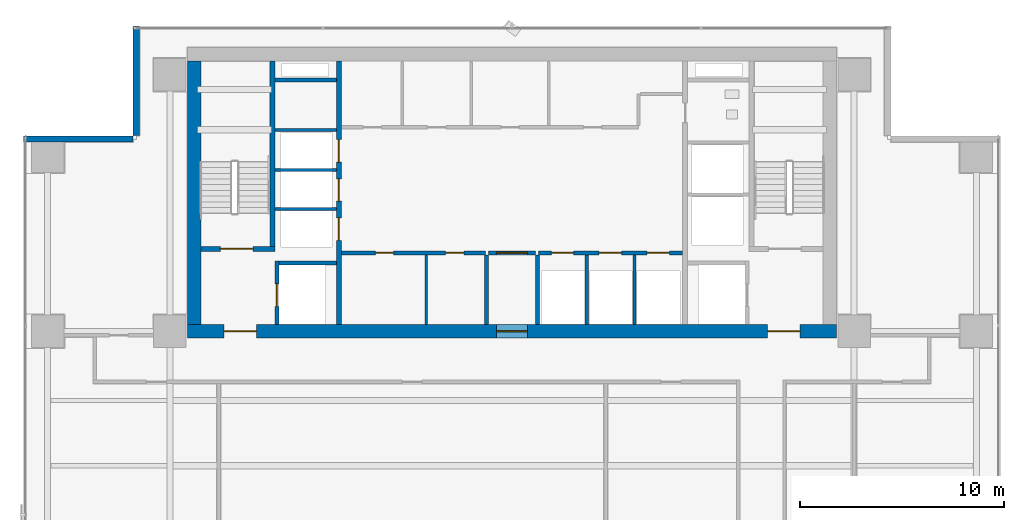
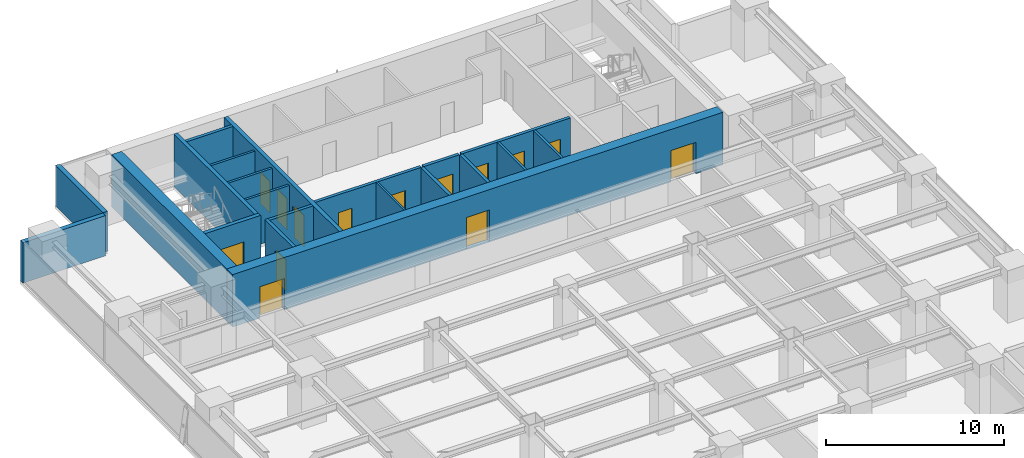
# One storey, part 21 of 27: 21 walls, 14 doors, 14 openings.
"""IFC4 building model written with IfcOpenShell, lengths in metres."""

from ifc_helpers import new_model, si_unit, direction, frame, frame_2d, origin, place, context, subcontext, project, spatial, rectangle, extrude, source, transform, mapped, material, layer, layer_set, type_object, element, fill, save


model = new_model("IFC4")

# Units and contexts
model_context = context("Model", 3, precision=1e-05, world=origin(), true_north=direction((0.0, 1.0)))
body_context = subcontext(model_context, "Body", "Model", "MODEL_VIEW")
ifc_project = project(units=[si_unit("LENGTHUNIT", "METRE"), si_unit("AREAUNIT", "SQUARE_METRE"), si_unit("VOLUMEUNIT", "CUBIC_METRE"), si_unit("PLANEANGLEUNIT", "RADIAN"), si_unit("MASSUNIT", "GRAM", prefix="KILO")], contexts=[model_context])

# Site, building, storey
site_placement = place(None, origin())
site = spatial("IfcSite", under=ifc_project, at=site_placement, CompositionType="ELEMENT")
building_placement = place(site_placement, origin())
building = spatial("IfcBuilding", under=site, at=building_placement, Name="Sumidabori Civic Tower", CompositionType="ELEMENT")
storey_placement = place(building_placement, frame((0.0, 0.0, 156.800048828125)))
storey = spatial("IfcBuildingStorey", under=building, at=storey_placement, Name="L40", CompositionType="ELEMENT", Elevation=156.800048828125)

# Walls
ifc_material_1 = material(Name="Concrete C50/60", Category="concrete")
ifc_layer_1 = layer(ifc_material_1, 0.199951171875, Name="Concrete C50/60")
ifc_layer_set_1 = layer_set([ifc_layer_1], Name="Concrete C50/60")
wall_type_1 = type_object("IfcWallType", Name="WL-SHAFT-200", PredefinedType="SHEAR", material=ifc_layer_set_1)
shared_shape_1 = source(origin(), body_context, "Body", "SweptSolid", [
    extrude(rectangle(XDim=2.824951171875, YDim=0.199951171875, at=frame_2d((1.41259765625, 0.0))), origin(), (0.0, 0.0, 1.0), 3.599853515625),
])
wall_1_placement = place(storey_placement, frame((-11.449951171875, 13.550048828125, 0.0), z_axis=(0.0, 0.0, 1.0), x_axis=(1.0, 0.0, 0.0)))
element("IfcWall", 1, at=wall_1_placement, inside=storey, type_object=wall_type_1, Name="Core Shear Wall L40 EL1-N", PredefinedType="SHEAR", context=body_context, shape_type="MappedRepresentation", body=[
    mapped(shared_shape_1, transform((0.0, 0.0, 0.0), x_axis=(1.0, 0.0, 0.0), y_axis=(0.0, 1.0, 0.0), z_axis=(0.0, 0.0, 1.0), scale=1.0)),
])
shared_shape_2 = source(origin(), body_context, "Body", "SweptSolid", [
    extrude(rectangle(XDim=3.02001953125, YDim=0.199951171875, at=frame_2d((1.510009765625, 0.0))), origin(), (0.0, 0.0, 1.0), 3.599853515625),
])
wall_2_placement = place(storey_placement, frame((-11.64501953125, 22.550048828125, 0.0), z_axis=(0.0, 0.0, 1.0), x_axis=(1.0, 0.0, 0.0)))
element("IfcWall", 2, at=wall_2_placement, inside=storey, type_object=wall_type_1, Name="Core Shear Wall L40 RIS1-S", PredefinedType="SHEAR", context=body_context, shape_type="MappedRepresentation", body=[
    mapped(shared_shape_2, transform((0.0, 0.0, 0.0), x_axis=(1.0, 0.0, 0.0), y_axis=(0.0, 1.0, 0.0), z_axis=(0.0, 0.0, 1.0), scale=1.0)),
])

# Wall, openings, doors
ifc_material_2 = material(Name="Concrete C60/75", Category="concrete")
ifc_layer_2 = layer(ifc_material_2, 0.64990234375, Name="Concrete C60/75")
ifc_layer_set_2 = layer_set([ifc_layer_2], Name="Concrete C60/75")
wall_type_2 = type_object("IfcWallType", Name="WL-CORE-650", PredefinedType="SHEAR", material=ifc_layer_set_2)
shared_shape_3 = source(origin(), body_context, "Body", "SweptSolid", [
    extrude(rectangle(XDim=31.85009765625, YDim=0.64990234375, at=frame_2d((15.925048828125, 0.0))), origin(), (0.0, 0.0, 1.0), 3.599853515625),
])
wall_3_placement = place(storey_placement, frame((-15.925048828125, 10.199951171875, 0.0), z_axis=(0.0, 0.0, 1.0), x_axis=(1.0, 0.0, 0.0)))
wall_3 = element("IfcWall", 3, at=wall_3_placement, inside=storey, type_object=wall_type_2, Name="Core Shear Wall L40 S", PredefinedType="SHEAR", context=body_context, shape_type="MappedRepresentation", body=[
    mapped(shared_shape_3, transform((0.0, 0.0, 0.0), x_axis=(1.0, 0.0, 0.0), y_axis=(0.0, 1.0, 0.0), z_axis=(0.0, 0.0, 1.0), scale=1.0)),
])
opening_1_placement = place(wall_3_placement, frame((1.77490234375, 0.0, 0.0)))
opening_1 = element("IfcOpeningElement", 4, at=opening_1_placement, cuts=wall_3, Name="Opening DR-FD4", PredefinedType="OPENING", context=body_context, shape_type="SweptSolid", body=[
    extrude(rectangle(XDim=1.60009765625, YDim=2.14990234375, at=frame_2d((0.800048828125, 1.074951171875))), frame((0.0, 0.3369140625, 0.0), z_axis=(0.0, -1.0, 0.0), x_axis=(1.0, 0.0, 0.0)), (0.0, 0.0, 1.0), 0.673828125),
])
opening_2_placement = place(wall_3_placement, frame((28.47509765625, 0.0, 0.0)))
opening_2 = element("IfcOpeningElement", 5, at=opening_2_placement, cuts=wall_3, Name="Opening DR-FD4", PredefinedType="OPENING", context=body_context, shape_type="SweptSolid", body=[
    extrude(rectangle(XDim=1.60009765625, YDim=2.14990234375, at=frame_2d((0.800048828125, 1.074951171875))), frame((0.0, 0.3369140625, 0.0), z_axis=(0.0, -1.0, 0.0), x_axis=(1.0, 0.0, 0.0)), (0.0, 0.0, 1.0), 0.673828125),
])
opening_3_placement = place(wall_3_placement, frame((15.175048828125, 0.0, 0.0)))
opening_3 = element("IfcOpeningElement", 6, at=opening_3_placement, cuts=wall_3, Name="Opening DR-FD3", PredefinedType="OPENING", context=body_context, shape_type="SweptSolid", body=[
    extrude(rectangle(XDim=1.5, YDim=2.199951171875, at=frame_2d((0.75, 1.10009765625))), frame((0.0, 0.3369140625, 0.0), z_axis=(0.0, -1.0, 0.0), x_axis=(1.0, 0.0, 0.0)), (0.0, 0.0, 1.0), 0.673828125),
])
ifc_material_3 = material(Name="Steel SN490", Category="steel")
door_type_1 = type_object("IfcDoorType", Name="DR-FD4", OperationType="DOUBLE_DOOR_SINGLE_SWING", PredefinedType="DOOR", material=ifc_material_3)
shared_shape_4 = source(origin(), body_context, "Body", "SweptSolid", [
    extrude(rectangle(XDim=1.60009765625, YDim=2.14990234375, at=frame_2d((0.800048828125, 1.074951171875))), frame((0.0, 0.02490234375, 0.0), z_axis=(0.0, -1.0, 0.0), x_axis=(1.0, 0.0, 0.0)), (0.0, 0.0, 1.0), 0.050048828125),
])
door_1_placement = place(opening_1_placement, origin())
door_1 = element("IfcDoor", 7, at=door_1_placement, inside=storey, type_object=door_type_1, Name="Door DR:L40:ELOB-W", OperationType="DOUBLE_DOOR_SINGLE_SWING", OverallHeight=2.14990234375, OverallWidth=1.60009765625, PredefinedType="DOOR", context=body_context, shape_type="MappedRepresentation", body=[
    mapped(shared_shape_4, transform((0.0, 0.0, 0.0), x_axis=(1.0, 0.0, 0.0), y_axis=(0.0, 1.0, 0.0), z_axis=(0.0, 0.0, 1.0), scale=1.0)),
])
fill(opening_1, door_1)
door_2_placement = place(opening_2_placement, origin())
door_2 = element("IfcDoor", 8, at=door_2_placement, inside=storey, type_object=door_type_1, Name="Door DR:L40:ELOB-E", OperationType="DOUBLE_DOOR_SINGLE_SWING", OverallHeight=2.14990234375, OverallWidth=1.60009765625, PredefinedType="DOOR", context=body_context, shape_type="MappedRepresentation", body=[
    mapped(shared_shape_4, transform((0.0, 0.0, 0.0), x_axis=(1.0, 0.0, 0.0), y_axis=(0.0, 1.0, 0.0), z_axis=(0.0, 0.0, 1.0), scale=1.0)),
])
fill(opening_2, door_2)
door_type_2 = type_object("IfcDoorType", Name="DR-FD-DBL", OperationType="DOUBLE_DOOR_SINGLE_SWING", PredefinedType="DOOR", material=ifc_material_3)
shared_shape_5 = source(origin(), body_context, "Body", "SweptSolid", [
    extrude(rectangle(XDim=1.5, YDim=2.199951171875, at=frame_2d((0.75, 1.10009765625))), frame((0.0, 0.02490234375, 0.0), z_axis=(0.0, -1.0, 0.0), x_axis=(1.0, 0.0, 0.0)), (0.0, 0.0, 1.0), 0.050048828125),
])
door_3_placement = place(opening_3_placement, origin())
door_3 = element("IfcDoor", 9, at=door_3_placement, inside=storey, type_object=door_type_2, Name="Door DR:L40:THROAT-OUT", OperationType="DOUBLE_DOOR_SINGLE_SWING", OverallHeight=2.199951171875, OverallWidth=1.5, PredefinedType="DOOR", context=body_context, shape_type="MappedRepresentation", body=[
    mapped(shared_shape_5, transform((0.0, 0.0, 0.0), x_axis=(1.0, 0.0, 0.0), y_axis=(0.0, 1.0, 0.0), z_axis=(0.0, 0.0, 1.0), scale=1.0)),
])
fill(opening_3, door_3)

# Wall
shared_shape_6 = source(origin(), body_context, "Body", "SweptSolid", [
    extrude(rectangle(XDim=12.9501953125, YDim=0.64990234375, at=frame_2d((6.47509765625, 0.0))), origin(), (0.0, 0.0, 1.0), 3.599853515625),
])
wall_4_placement = place(storey_placement, frame((-15.60009765625, 10.52490234375, 0.0), z_axis=(0.0, 0.0, 1.0), x_axis=(0.0, 1.0, 0.0)))
element("IfcWall", 10, at=wall_4_placement, inside=storey, type_object=wall_type_2, Name="Core Shear Wall L40 W", PredefinedType="SHEAR", context=body_context, shape_type="MappedRepresentation", body=[
    mapped(shared_shape_6, transform((0.0, 0.0, 0.0), x_axis=(1.0, 0.0, 0.0), y_axis=(0.0, 1.0, 0.0), z_axis=(0.0, 0.0, 1.0), scale=1.0)),
])

# Wall, openings, doors
ifc_layer_3 = layer(ifc_material_1, 0.25, Name="Concrete C50/60")
ifc_layer_set_3 = layer_set([ifc_layer_3], Name="Concrete C50/60")
wall_type_3 = type_object("IfcWallType", Name="WL-SHAFT-250", PredefinedType="SHEAR", material=ifc_layer_set_3)
shared_shape_7 = source(origin(), body_context, "Body", "SweptSolid", [
    extrude(rectangle(XDim=12.9501953125, YDim=0.25, at=frame_2d((6.47509765625, 0.0))), origin(), (0.0, 0.0, 1.0), 3.599853515625),
])
wall_5_placement = place(storey_placement, frame((-8.5, 10.52490234375, 0.0), z_axis=(0.0, 0.0, 1.0), x_axis=(0.0, 1.0, 0.0)))
wall_5 = element("IfcWall", 11, at=wall_5_placement, inside=storey, type_object=wall_type_3, Name="Core Shear Wall L40 WEB-W", PredefinedType="SHEAR", context=body_context, shape_type="MappedRepresentation", body=[
    mapped(shared_shape_7, transform((0.0, 0.0, 0.0), x_axis=(1.0, 0.0, 0.0), y_axis=(0.0, 1.0, 0.0), z_axis=(0.0, 0.0, 1.0), scale=1.0)),
])
opening_4_placement = place(wall_5_placement, frame((4.14501953125, 0.0, 0.0)))
opening_4 = element("IfcOpeningElement", 12, at=opening_4_placement, cuts=wall_5, Name="Opening LD-1", PredefinedType="OPENING", context=body_context, shape_type="SweptSolid", body=[
    extrude(rectangle(XDim=1.10009765625, YDim=2.14990234375, at=frame_2d((0.550048828125, 1.074951171875))), frame((0.0, 0.136962890625, 0.0), z_axis=(0.0, -1.0, 0.0), x_axis=(1.0, 0.0, 0.0)), (0.0, 0.0, 1.0), 0.27392578125),
])
opening_5_placement = place(wall_5_placement, frame((6.06494140625, 0.0, 0.0)))
opening_5 = element("IfcOpeningElement", 13, at=opening_5_placement, cuts=wall_5, Name="Opening LD-1", PredefinedType="OPENING", context=body_context, shape_type="SweptSolid", body=[
    extrude(rectangle(XDim=1.10009765625, YDim=2.14990234375, at=frame_2d((0.550048828125, 1.074951171875))), frame((0.0, 0.136962890625, 0.0), z_axis=(0.0, -1.0, 0.0), x_axis=(1.0, 0.0, 0.0)), (0.0, 0.0, 1.0), 0.27392578125),
])
opening_6_placement = place(wall_5_placement, frame((7.985107421875, 0.0, 0.0)))
opening_6 = element("IfcOpeningElement", 14, at=opening_6_placement, cuts=wall_5, Name="Opening LD-1", PredefinedType="OPENING", context=body_context, shape_type="SweptSolid", body=[
    extrude(rectangle(XDim=1.10009765625, YDim=2.14990234375, at=frame_2d((0.550048828125, 1.074951171875))), frame((0.0, 0.136962890625, 0.0), z_axis=(0.0, -1.0, 0.0), x_axis=(1.0, 0.0, 0.0)), (0.0, 0.0, 1.0), 0.27392578125),
])
ifc_material_4 = material(Name="Stainless Steel Hairline Finish", Category="steel")
door_type_3 = type_object("IfcDoorType", Name="DR-LD1", OperationType="DOUBLE_DOOR_SLIDING", PredefinedType="DOOR", material=ifc_material_4)
shared_shape_8 = source(origin(), body_context, "Body", "SweptSolid", [
    extrude(rectangle(XDim=1.10009765625, YDim=2.14990234375, at=frame_2d((0.550048828125, 1.074951171875))), frame((0.0, 0.02490234375, 0.0), z_axis=(0.0, -1.0, 0.0), x_axis=(1.0, 0.0, 0.0)), (0.0, 0.0, 1.0), 0.050048828125),
])
door_4_placement = place(opening_4_placement, origin())
door_4 = element("IfcDoor", 15, at=door_4_placement, inside=storey, type_object=door_type_3, Name="Door DR:L40:LD-PLH1", OperationType="DOUBLE_DOOR_SLIDING", OverallHeight=2.14990234375, OverallWidth=1.10009765625, PredefinedType="DOOR", context=body_context, shape_type="MappedRepresentation", body=[
    mapped(shared_shape_8, transform((0.0, 0.0, 0.0), x_axis=(1.0, 0.0, 0.0), y_axis=(0.0, 1.0, 0.0), z_axis=(0.0, 0.0, 1.0), scale=1.0)),
])
fill(opening_4, door_4)
door_5_placement = place(opening_5_placement, origin())
door_5 = element("IfcDoor", 16, at=door_5_placement, inside=storey, type_object=door_type_3, Name="Door DR:L40:LD-PLH2", OperationType="DOUBLE_DOOR_SLIDING", OverallHeight=2.14990234375, OverallWidth=1.10009765625, PredefinedType="DOOR", context=body_context, shape_type="MappedRepresentation", body=[
    mapped(shared_shape_8, transform((0.0, 0.0, 0.0), x_axis=(1.0, 0.0, 0.0), y_axis=(0.0, 1.0, 0.0), z_axis=(0.0, 0.0, 1.0), scale=1.0)),
])
fill(opening_5, door_5)
door_6_placement = place(opening_6_placement, origin())
door_6 = element("IfcDoor", 17, at=door_6_placement, inside=storey, type_object=door_type_3, Name="Door DR:L40:LD-PLH3", OperationType="DOUBLE_DOOR_SLIDING", OverallHeight=2.14990234375, OverallWidth=1.10009765625, PredefinedType="DOOR", context=body_context, shape_type="MappedRepresentation", body=[
    mapped(shared_shape_8, transform((0.0, 0.0, 0.0), x_axis=(1.0, 0.0, 0.0), y_axis=(0.0, 1.0, 0.0), z_axis=(0.0, 0.0, 1.0), scale=1.0)),
])
fill(opening_6, door_6)

# Wall, opening, door
shared_shape_9 = source(origin(), body_context, "Body", "SweptSolid", [
    extrude(rectangle(XDim=3.6298828125, YDim=0.25, at=frame_2d((1.81494140625, 0.0))), origin(), (0.0, 0.0, 1.0), 3.599853515625),
])
wall_6_placement = place(storey_placement, frame((-15.27490234375, 14.25, 0.0), z_axis=(0.0, 0.0, 1.0), x_axis=(1.0, 0.0, 0.0)))
wall_6 = element("IfcWall", 18, at=wall_6_placement, inside=storey, type_object=wall_type_3, Name="Core Shear Wall L40 ST1-S", PredefinedType="SHEAR", context=body_context, shape_type="MappedRepresentation", body=[
    mapped(shared_shape_9, transform((0.0, 0.0, 0.0), x_axis=(1.0, 0.0, 0.0), y_axis=(0.0, 1.0, 0.0), z_axis=(0.0, 0.0, 1.0), scale=1.0)),
])
opening_7_placement = place(wall_6_placement, frame((0.949951171875, 0.0, 0.0)))
opening_7 = element("IfcOpeningElement", 19, at=opening_7_placement, cuts=wall_6, Name="Opening DR-FD4", PredefinedType="OPENING", context=body_context, shape_type="SweptSolid", body=[
    extrude(rectangle(XDim=1.60009765625, YDim=2.14990234375, at=frame_2d((0.800048828125, 1.074951171875))), frame((0.0, 0.136962890625, 0.0), z_axis=(0.0, -1.0, 0.0), x_axis=(1.0, 0.0, 0.0)), (0.0, 0.0, 1.0), 0.27392578125),
])
door_7_placement = place(opening_7_placement, origin())
door_7 = element("IfcDoor", 20, at=door_7_placement, inside=storey, type_object=door_type_1, Name="Door DR:L40:ST1", OperationType="DOUBLE_DOOR_SINGLE_SWING", OverallHeight=2.14990234375, OverallWidth=1.60009765625, PredefinedType="DOOR", context=body_context, shape_type="MappedRepresentation", body=[
    mapped(shared_shape_4, transform((0.0, 0.0, 0.0), x_axis=(1.0, 0.0, 0.0), y_axis=(0.0, 1.0, 0.0), z_axis=(0.0, 0.0, 1.0), scale=1.0)),
])
fill(opening_7, door_7)

# Wall
shared_shape_10 = source(origin(), body_context, "Body", "SweptSolid", [
    extrude(rectangle(XDim=9.10009765625, YDim=0.25, at=frame_2d((4.550048828125, 0.0))), origin(), (0.0, 0.0, 1.0), 3.599853515625),
])
wall_7_placement = place(storey_placement, frame((-11.77001953125, 14.375, 0.0), z_axis=(0.0, 0.0, 1.0), x_axis=(0.0, 1.0, 0.0)))
element("IfcWall", 21, at=wall_7_placement, inside=storey, type_object=wall_type_3, Name="Core Shear Wall L40 ST1-E", PredefinedType="SHEAR", context=body_context, shape_type="MappedRepresentation", body=[
    mapped(shared_shape_10, transform((0.0, 0.0, 0.0), x_axis=(1.0, 0.0, 0.0), y_axis=(0.0, 1.0, 0.0), z_axis=(0.0, 0.0, 1.0), scale=1.0)),
])

# Wall, opening, door
shared_shape_11 = source(origin(), body_context, "Body", "SweptSolid", [
    extrude(rectangle(XDim=3.125, YDim=0.199951171875, at=frame_2d((1.5625, 0.0))), origin(), (0.0, 0.0, 1.0), 3.599853515625),
])
wall_8_placement = place(storey_placement, frame((-11.550048828125, 10.52490234375, 0.0), z_axis=(0.0, 0.0, 1.0), x_axis=(0.0, 1.0, 0.0)))
wall_8 = element("IfcWall", 22, at=wall_8_placement, inside=storey, type_object=wall_type_1, Name="Core Shear Wall L40 EL1-W", PredefinedType="SHEAR", context=body_context, shape_type="MappedRepresentation", body=[
    mapped(shared_shape_11, transform((0.0, 0.0, 0.0), x_axis=(1.0, 0.0, 0.0), y_axis=(0.0, 1.0, 0.0), z_axis=(0.0, 0.0, 1.0), scale=1.0)),
])
opening_8_placement = place(wall_8_placement, frame((0.89990234375, 0.0, 0.0)))
opening_8 = element("IfcOpeningElement", 23, at=opening_8_placement, cuts=wall_8, Name="Opening LD-2", PredefinedType="OPENING", context=body_context, shape_type="SweptSolid", body=[
    extrude(rectangle(XDim=1.10009765625, YDim=2.14990234375, at=frame_2d((0.550048828125, 1.074951171875))), frame((0.0, 0.11181640625, 0.0), z_axis=(0.0, -1.0, 0.0), x_axis=(1.0, 0.0, 0.0)), (0.0, 0.0, 1.0), 0.223876953125),
])
door_type_4 = type_object("IfcDoorType", Name="DR-LD2", OperationType="DOUBLE_DOOR_SLIDING", PredefinedType="DOOR", material=ifc_material_4)
door_8_placement = place(opening_8_placement, origin())
door_8 = element("IfcDoor", 24, at=door_8_placement, inside=storey, type_object=door_type_4, Name="Door DR:L40:LD-EL1", OperationType="DOUBLE_DOOR_SLIDING", OverallHeight=2.14990234375, OverallWidth=1.10009765625, PredefinedType="DOOR", context=body_context, shape_type="MappedRepresentation", body=[
    mapped(shared_shape_8, transform((0.0, 0.0, 0.0), x_axis=(1.0, 0.0, 0.0), y_axis=(0.0, 1.0, 0.0), z_axis=(0.0, 0.0, 1.0), scale=1.0)),
])
fill(opening_8, door_8)

# Walls
ifc_material_5 = material(Name="Precast concrete C40/50", Category="concrete")
ifc_layer_4 = layer(ifc_material_5, 0.300048828125, Name="Precast concrete C40/50")
ifc_layer_set_4 = layer_set([ifc_layer_4], Name="Precast concrete C40/50")
wall_type_4 = type_object("IfcWallType", Name="WL-EXT-POD300", PredefinedType="STANDARD", material=ifc_layer_set_4)
shared_shape_12 = source(origin(), body_context, "Body", "SweptSolid", [
    extrude(rectangle(XDim=5.35986328125, YDim=0.300048828125, at=frame_2d((2.679931640625, 0.0))), origin(), (0.0, 0.0, 1.0), 2.760009765625),
])
for number, where, z_axis, x_axis, name in (
    (25, (-18.449951171875, 25.179931640625, 0.0), (0.0, 0.0, 1.0), (0.0, -1.0, 0.0), "Notched Corner Spandrel Band L40-08"),
    (26, (-18.6201171875, 19.64990234375, 0.0), (0.0, 0.0, 1.0), (-1.0, 0.0, 0.0), "Notched Corner Spandrel Band L40-09"),
):
    element("IfcWall", number, at=place(storey_placement, frame(where, z_axis=z_axis, x_axis=x_axis)), inside=storey, type_object=wall_type_4, Name=name, PredefinedType="STANDARD", context=body_context, shape_type="MappedRepresentation", body=[
        mapped(shared_shape_12, transform((0.0, 0.0, 0.0), x_axis=(1.0, 0.0, 0.0), y_axis=(0.0, 1.0, 0.0), z_axis=(0.0, 0.0, 1.0), scale=1.0)),
    ])
ifc_material_6 = material(Name="Gypsum Plasterboard Acoustic Partition")
ifc_layer_5 = layer(ifc_material_6, 0.14990234375, Name="Gypsum Plasterboard Acoustic Partition")
ifc_layer_set_5 = layer_set([ifc_layer_5], Name="Gypsum Plasterboard Acoustic Partition")
wall_type_5 = type_object("IfcWallType", Name="WL-PART-150", PredefinedType="PARTITIONING", material=ifc_layer_set_5)
shared_shape_13 = source(origin(), body_context, "Body", "SweptSolid", [
    extrude(rectangle(XDim=3.010009765625, YDim=0.14990234375, at=frame_2d((1.5048828125, 0.0))), origin(), (0.0, 0.0, 1.0), 3.3798828125),
])
for number, where, z_axis, x_axis, name in (
    (27, (-11.639892578125, 16.199951171875, 0.0), (0.0, 0.0, 1.0), (1.0, 0.0, 0.0), "Interior Partition WL:L40:DIV-PLH1"),
    (28, (-11.639892578125, 18.1201171875, 0.0), (0.0, 0.0, 1.0), (1.0, 0.0, 0.0), "Interior Partition WL:L40:DIV-PLH2"),
    (29, (-11.639892578125, 20.080078125, 0.0), (0.0, 0.0, 1.0), (1.0, 0.0, 0.0), "Interior Partition WL:L40:DIV-PLH3"),
):
    element("IfcWall", number, at=place(storey_placement, frame(where, z_axis=z_axis, x_axis=x_axis)), inside=storey, type_object=wall_type_5, Name=name, PredefinedType="PARTITIONING", context=body_context, shape_type="MappedRepresentation", body=[
        mapped(shared_shape_13, transform((0.0, 0.0, 0.0), x_axis=(1.0, 0.0, 0.0), y_axis=(0.0, 1.0, 0.0), z_axis=(0.0, 0.0, 1.0), scale=1.0)),
    ])

# Wall, openings, doors
ifc_material_7 = material(Name="Gypsum Plasterboard Fire Partition")
ifc_layer_6 = layer(ifc_material_7, 0.199951171875, Name="Gypsum Plasterboard Fire Partition")
ifc_layer_set_6 = layer_set([ifc_layer_6], Name="Gypsum Plasterboard Fire Partition")
wall_type_6 = type_object("IfcWallType", Name="WL-PART-FIRE", PredefinedType="PARTITIONING", material=ifc_layer_set_6)
shared_shape_14 = source(origin(), body_context, "Body", "SweptSolid", [
    extrude(rectangle(XDim=7.070068359375, YDim=0.199951171875, at=frame_2d((3.53515625, 0.0))), origin(), (0.0, 0.0, 1.0), 3.3798828125),
])
wall_9_placement = place(storey_placement, frame((-8.3701171875, 14.050048828125, 0.0), z_axis=(0.0, 0.0, 1.0), x_axis=(1.0, 0.0, 0.0)))
wall_9 = element("IfcWall", 30, at=wall_9_placement, inside=storey, type_object=wall_type_6, Name="Interior Partition WL:L40:CBAND-SW", PredefinedType="PARTITIONING", context=body_context, shape_type="MappedRepresentation", body=[
    mapped(shared_shape_14, transform((0.0, 0.0, 0.0), x_axis=(1.0, 0.0, 0.0), y_axis=(0.0, 1.0, 0.0), z_axis=(0.0, 0.0, 1.0), scale=1.0)),
])
opening_9_placement = place(wall_9_placement, frame((1.659912109375, 0.0, 0.0)))
opening_9 = element("IfcOpeningElement", 31, at=opening_9_placement, cuts=wall_9, Name="Opening DR-1", PredefinedType="OPENING", context=body_context, shape_type="SweptSolid", body=[
    extrude(rectangle(XDim=0.89990234375, YDim=2.14990234375, at=frame_2d((0.449951171875, 1.074951171875))), frame((0.0, 0.11181640625, 0.0), z_axis=(0.0, -1.0, 0.0), x_axis=(1.0, 0.0, 0.0)), (0.0, 0.0, 1.0), 0.223876953125),
])
opening_10_placement = place(wall_9_placement, frame((5.110107421875, 0.0, 0.0)))
opening_10 = element("IfcOpeningElement", 32, at=opening_10_placement, cuts=wall_9, Name="Opening DR-1", PredefinedType="OPENING", context=body_context, shape_type="SweptSolid", body=[
    extrude(rectangle(XDim=0.89990234375, YDim=2.14990234375, at=frame_2d((0.449951171875, 1.074951171875))), frame((0.0, 0.11181640625, 0.0), z_axis=(0.0, -1.0, 0.0), x_axis=(1.0, 0.0, 0.0)), (0.0, 0.0, 1.0), 0.223876953125),
])
ifc_material_8 = material(Name="Japanese Hinoki Timber", Category="wood")
door_type_5 = type_object("IfcDoorType", Name="DR-INT-900", OperationType="NOTDEFINED", PredefinedType="DOOR", material=ifc_material_8)
shared_shape_15 = source(origin(), body_context, "Body", "SweptSolid", [
    extrude(rectangle(XDim=0.89990234375, YDim=2.14990234375, at=frame_2d((0.449951171875, 1.074951171875))), frame((0.0, 0.02490234375, 0.0), z_axis=(0.0, -1.0, 0.0), x_axis=(1.0, 0.0, 0.0)), (0.0, 0.0, 1.0), 0.050048828125),
])
door_9_placement = place(opening_9_placement, origin())
door_9 = element("IfcDoor", 33, at=door_9_placement, inside=storey, type_object=door_type_5, Name="Door DR:L40:REC-B1A", OperationType="SINGLE_SWING_LEFT", OverallHeight=2.14990234375, OverallWidth=0.89990234375, PredefinedType="DOOR", context=body_context, shape_type="MappedRepresentation", body=[
    mapped(shared_shape_15, transform((0.0, 0.0, 0.0), x_axis=(1.0, 0.0, 0.0), y_axis=(0.0, 1.0, 0.0), z_axis=(0.0, 0.0, 1.0), scale=1.0)),
])
fill(opening_9, door_9)
door_10_placement = place(opening_10_placement, origin())
door_10 = element("IfcDoor", 34, at=door_10_placement, inside=storey, type_object=door_type_5, Name="Door DR:L40:REC-B1B", OperationType="SINGLE_SWING_RIGHT", OverallHeight=2.14990234375, OverallWidth=0.89990234375, PredefinedType="DOOR", context=body_context, shape_type="MappedRepresentation", body=[
    mapped(shared_shape_15, transform((0.0, 0.0, 0.0), x_axis=(1.0, 0.0, 0.0), y_axis=(0.0, 1.0, 0.0), z_axis=(0.0, 0.0, 1.0), scale=1.0)),
])
fill(opening_10, door_10)

wall_10_placement = place(storey_placement, frame((1.300048828125, 14.050048828125, 0.0), z_axis=(0.0, 0.0, 1.0), x_axis=(1.0, 0.0, 0.0)))
wall_10 = element("IfcWall", 35, at=wall_10_placement, inside=storey, type_object=wall_type_6, Name="Interior Partition WL:L40:CBAND-SE", PredefinedType="PARTITIONING", context=body_context, shape_type="MappedRepresentation", body=[
    mapped(shared_shape_14, transform((0.0, 0.0, 0.0), x_axis=(1.0, 0.0, 0.0), y_axis=(0.0, 1.0, 0.0), z_axis=(0.0, 0.0, 1.0), scale=1.0)),
])
opening_11_placement = place(wall_10_placement, frame((0.6298828125, 0.0, 0.0)))
opening_11 = element("IfcOpeningElement", 36, at=opening_11_placement, cuts=wall_10, Name="Opening LD-1", PredefinedType="OPENING", context=body_context, shape_type="SweptSolid", body=[
    extrude(rectangle(XDim=1.10009765625, YDim=2.14990234375, at=frame_2d((0.550048828125, 1.074951171875))), frame((0.0, 0.11181640625, 0.0), z_axis=(0.0, -1.0, 0.0), x_axis=(1.0, 0.0, 0.0)), (0.0, 0.0, 1.0), 0.223876953125),
])
opening_12_placement = place(wall_10_placement, frame((2.97998046875, 0.0, 0.0)))
opening_12 = element("IfcOpeningElement", 37, at=opening_12_placement, cuts=wall_10, Name="Opening LD-1", PredefinedType="OPENING", context=body_context, shape_type="SweptSolid", body=[
    extrude(rectangle(XDim=1.10009765625, YDim=2.14990234375, at=frame_2d((0.550048828125, 1.074951171875))), frame((0.0, 0.11181640625, 0.0), z_axis=(0.0, -1.0, 0.0), x_axis=(1.0, 0.0, 0.0)), (0.0, 0.0, 1.0), 0.223876953125),
])
opening_13_placement = place(wall_10_placement, frame((5.330078125, 0.0, 0.0)))
opening_13 = element("IfcOpeningElement", 38, at=opening_13_placement, cuts=wall_10, Name="Opening LD-1", PredefinedType="OPENING", context=body_context, shape_type="SweptSolid", body=[
    extrude(rectangle(XDim=1.10009765625, YDim=2.14990234375, at=frame_2d((0.550048828125, 1.074951171875))), frame((0.0, 0.11181640625, 0.0), z_axis=(0.0, -1.0, 0.0), x_axis=(1.0, 0.0, 0.0)), (0.0, 0.0, 1.0), 0.223876953125),
])
door_11_placement = place(opening_11_placement, origin())
door_11 = element("IfcDoor", 39, at=door_11_placement, inside=storey, type_object=door_type_3, Name="Door DR:L40:LD-PLM1", OperationType="DOUBLE_DOOR_SLIDING", OverallHeight=2.14990234375, OverallWidth=1.10009765625, PredefinedType="DOOR", context=body_context, shape_type="MappedRepresentation", body=[
    mapped(shared_shape_8, transform((0.0, 0.0, 0.0), x_axis=(1.0, 0.0, 0.0), y_axis=(0.0, 1.0, 0.0), z_axis=(0.0, 0.0, 1.0), scale=1.0)),
])
fill(opening_11, door_11)
door_12_placement = place(opening_12_placement, origin())
door_12 = element("IfcDoor", 40, at=door_12_placement, inside=storey, type_object=door_type_3, Name="Door DR:L40:LD-PLM2", OperationType="DOUBLE_DOOR_SLIDING", OverallHeight=2.14990234375, OverallWidth=1.10009765625, PredefinedType="DOOR", context=body_context, shape_type="MappedRepresentation", body=[
    mapped(shared_shape_8, transform((0.0, 0.0, 0.0), x_axis=(1.0, 0.0, 0.0), y_axis=(0.0, 1.0, 0.0), z_axis=(0.0, 0.0, 1.0), scale=1.0)),
])
fill(opening_12, door_12)
door_13_placement = place(opening_13_placement, origin())
door_13 = element("IfcDoor", 41, at=door_13_placement, inside=storey, type_object=door_type_3, Name="Door DR:L40:LD-PLM3", OperationType="DOUBLE_DOOR_SLIDING", OverallHeight=2.14990234375, OverallWidth=1.10009765625, PredefinedType="DOOR", context=body_context, shape_type="MappedRepresentation", body=[
    mapped(shared_shape_8, transform((0.0, 0.0, 0.0), x_axis=(1.0, 0.0, 0.0), y_axis=(0.0, 1.0, 0.0), z_axis=(0.0, 0.0, 1.0), scale=1.0)),
])
fill(opening_13, door_13)

# Walls
shared_shape_16 = source(origin(), body_context, "Body", "SweptSolid", [
    extrude(rectangle(XDim=3.4150390625, YDim=0.199951171875, at=frame_2d((1.70751953125, 0.0))), origin(), (0.0, 0.0, 1.0), 3.3798828125),
])
for number, where, z_axis, x_axis, name in (
    (42, (-1.25, 10.52490234375, 0.0), (0.0, 0.0, 1.0), (0.0, 1.0, 0.0), "Interior Partition WL:L40:THROAT-W"),
    (43, (1.25, 10.52490234375, 0.0), (0.0, 0.0, 1.0), (0.0, 1.0, 0.0), "Interior Partition WL:L40:THROAT-E"),
):
    element("IfcWall", number, at=place(storey_placement, frame(where, z_axis=z_axis, x_axis=x_axis)), inside=storey, type_object=wall_type_6, Name=name, PredefinedType="PARTITIONING", context=body_context, shape_type="MappedRepresentation", body=[
        mapped(shared_shape_16, transform((0.0, 0.0, 0.0), x_axis=(1.0, 0.0, 0.0), y_axis=(0.0, 1.0, 0.0), z_axis=(0.0, 0.0, 1.0), scale=1.0)),
    ])

# Wall, opening, door
shared_shape_17 = source(origin(), body_context, "Body", "SweptSolid", [
    extrude(rectangle(XDim=2.2998046875, YDim=0.199951171875, at=frame_2d((1.14990234375, 0.0))), origin(), (0.0, 0.0, 1.0), 3.3798828125),
])
wall_11_placement = place(storey_placement, frame((-1.14990234375, 14.050048828125, 0.0), z_axis=(0.0, 0.0, 1.0), x_axis=(1.0, 0.0, 0.0)))
wall_11 = element("IfcWall", 44, at=wall_11_placement, inside=storey, type_object=wall_type_6, Name="Interior Partition WL:L40:THROAT-N", PredefinedType="PARTITIONING", context=body_context, shape_type="MappedRepresentation", body=[
    mapped(shared_shape_17, transform((0.0, 0.0, 0.0), x_axis=(1.0, 0.0, 0.0), y_axis=(0.0, 1.0, 0.0), z_axis=(0.0, 0.0, 1.0), scale=1.0)),
])
opening_14_placement = place(wall_11_placement, frame((0.39990234375, 0.0, 0.0)))
opening_14 = element("IfcOpeningElement", 45, at=opening_14_placement, cuts=wall_11, Name="Opening DR-FD3", PredefinedType="OPENING", context=body_context, shape_type="SweptSolid", body=[
    extrude(rectangle(XDim=1.5, YDim=2.199951171875, at=frame_2d((0.75, 1.10009765625))), frame((0.0, 0.11181640625, 0.0), z_axis=(0.0, -1.0, 0.0), x_axis=(1.0, 0.0, 0.0)), (0.0, 0.0, 1.0), 0.223876953125),
])
door_14_placement = place(opening_14_placement, origin())
door_14 = element("IfcDoor", 46, at=door_14_placement, inside=storey, type_object=door_type_2, Name="Door DR:L40:THROAT-IN", OperationType="DOUBLE_DOOR_SINGLE_SWING", OverallHeight=2.199951171875, OverallWidth=1.5, PredefinedType="DOOR", context=body_context, shape_type="MappedRepresentation", body=[
    mapped(shared_shape_5, transform((0.0, 0.0, 0.0), x_axis=(1.0, 0.0, 0.0), y_axis=(0.0, 1.0, 0.0), z_axis=(0.0, 0.0, 1.0), scale=1.0)),
])
fill(opening_14, door_14)

# Walls
shared_shape_18 = source(origin(), body_context, "Body", "SweptSolid", [
    extrude(rectangle(XDim=3.4150390625, YDim=0.14990234375, at=frame_2d((1.70751953125, 0.0))), origin(), (0.0, 0.0, 1.0), 3.3798828125),
])
for number, where, z_axis, x_axis, name in (
    (47, (3.669921875, 10.52490234375, 0.0), (0.0, 0.0, 1.0), (0.0, 1.0, 0.0), "Interior Partition WL:L40:DIV-PLM1"),
    (48, (6.02001953125, 10.52490234375, 0.0), (0.0, 0.0, 1.0), (0.0, 1.0, 0.0), "Interior Partition WL:L40:DIV-PLM2"),
):
    element("IfcWall", number, at=place(storey_placement, frame(where, z_axis=z_axis, x_axis=x_axis)), inside=storey, type_object=wall_type_5, Name=name, PredefinedType="PARTITIONING", context=body_context, shape_type="MappedRepresentation", body=[
        mapped(shared_shape_18, transform((0.0, 0.0, 0.0), x_axis=(1.0, 0.0, 0.0), y_axis=(0.0, 1.0, 0.0), z_axis=(0.0, 0.0, 1.0), scale=1.0)),
    ])
ifc_layer_7 = layer(ifc_material_6, 0.1201171875, Name="Gypsum Plasterboard Acoustic Partition")
ifc_layer_set_7 = layer_set([ifc_layer_7], Name="Gypsum Plasterboard Acoustic Partition")
wall_type_7 = type_object("IfcWallType", Name="WL-PART-120", PredefinedType="PARTITIONING", material=ifc_layer_set_7)
shared_shape_19 = source(origin(), body_context, "Body", "SweptSolid", [
    extrude(rectangle(XDim=3.4150390625, YDim=0.1201171875, at=frame_2d((1.70751953125, 0.0))), origin(), (0.0, 0.0, 1.0), 3.3798828125),
])
wall_12_placement = place(storey_placement, frame((-4.199951171875, 10.52490234375, 0.0), z_axis=(0.0, 0.0, 1.0), x_axis=(0.0, 1.0, 0.0)))
element("IfcWall", 49, at=wall_12_placement, inside=storey, type_object=wall_type_7, Name="Interior Partition WL:L40:REC-B1-SP", PredefinedType="PARTITIONING", context=body_context, shape_type="MappedRepresentation", body=[
    mapped(shared_shape_19, transform((0.0, 0.0, 0.0), x_axis=(1.0, 0.0, 0.0), y_axis=(0.0, 1.0, 0.0), z_axis=(0.0, 0.0, 1.0), scale=1.0)),
])

save(model, "model.ifc")
